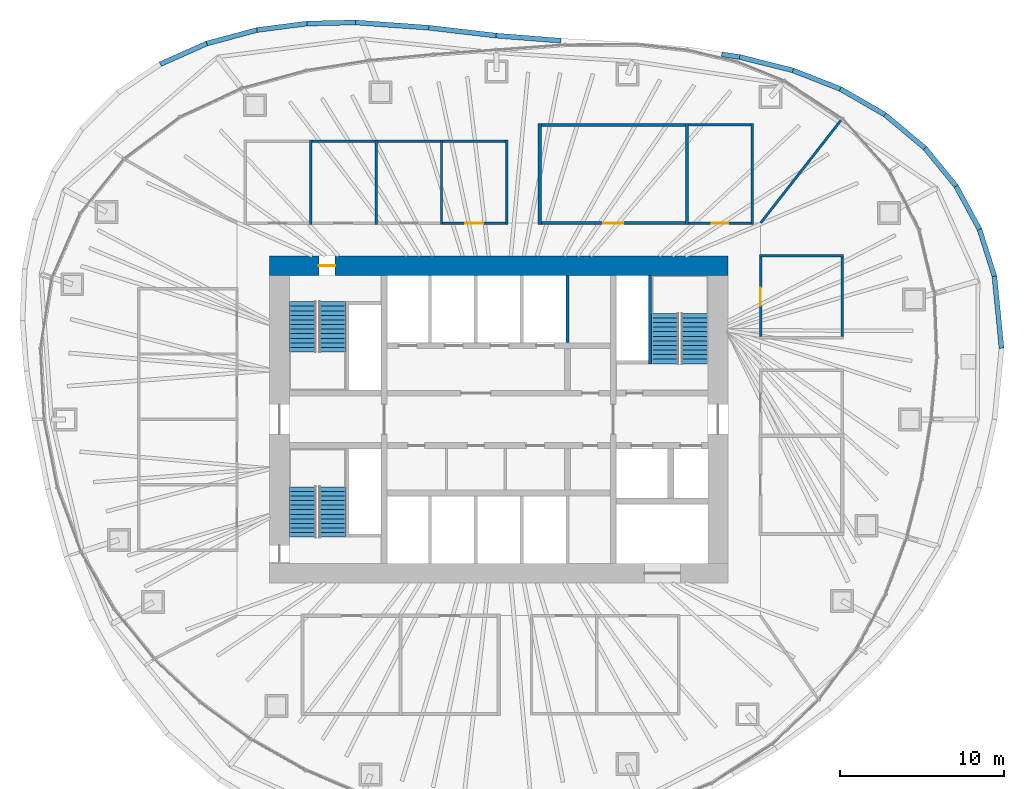
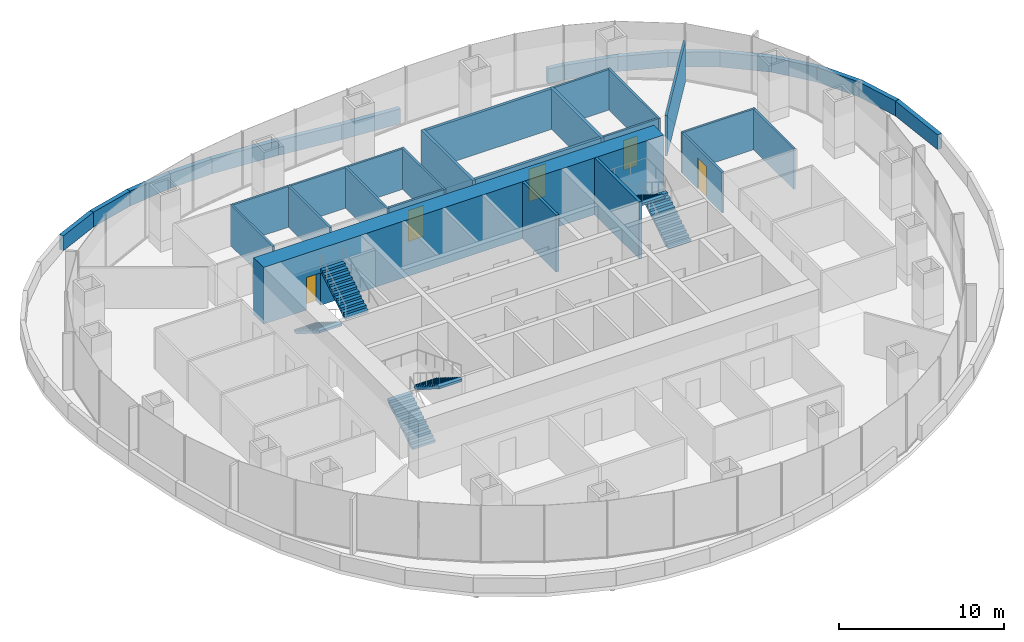
# One storey, part 11 of 12: 38 walls, 6 stair flights, 5 doors, 5 openings, 3 elements without a shape of their own.
"""IFC4 building model written with IfcOpenShell, lengths in metres."""

from ifc_helpers import new_model, si_unit, direction, frame, frame_2d, origin, place, context, subcontext, project, spatial, polyline, rectangle, outline, extrude, material, layer, layer_set, type_object, element, fill, aggregate, save


model = new_model("IFC4")

# Units and contexts
model_context = context("Model", 3, precision=1e-05, world=origin(), true_north=direction((0.0, 1.0)))
body_context = subcontext(model_context, "Body", "Model", "MODEL_VIEW")
ifc_project = project(units=[si_unit("LENGTHUNIT", "METRE"), si_unit("AREAUNIT", "SQUARE_METRE"), si_unit("VOLUMEUNIT", "CUBIC_METRE"), si_unit("PLANEANGLEUNIT", "RADIAN"), si_unit("MASSUNIT", "GRAM", prefix="KILO")], contexts=[model_context])

# Site, building, storey
site_placement = place(None, origin())
site = spatial("IfcSite", under=ifc_project, at=site_placement, CompositionType="ELEMENT")
building_placement = place(site_placement, origin())
building = spatial("IfcBuilding", under=site, at=building_placement, Name="Ghaith Harvest Tower", CompositionType="ELEMENT")
storey_placement = place(building_placement, frame((0.0, 0.0, 194.800048828125)))
storey = spatial("IfcBuildingStorey", under=building, at=storey_placement, Name="L42", CompositionType="ELEMENT", Elevation=194.800048828125)

# Walls
ifc_material_1 = material(Name="Twin-stud gypsum board, acoustic", Category="gypsum")
ifc_layer_1 = layer(ifc_material_1, 0.199951171875)
ifc_layer_set_1 = layer_set([ifc_layer_1], Name="ACOUSTIC PARTITION 200")
wall_type_1 = type_object("IfcWallType", Name="ACOUSTIC PARTITION 200", PredefinedType="PARTITIONING", material=ifc_layer_set_1)
for number, where, z_axis, x_axis, name in (
    (1, (2.5, 11.89990234375, 0.0), (0.0, 0.0, 1.0), (0.0, 1.0, 0.0), "Partition L42 row N2 cross wall 1"),
    (2, (11.5, 11.89990234375, 0.0), (0.0, 0.0, 1.0), (0.0, 1.0, 0.0), "Partition L42 row N2 cross wall 2"),
):
    element("IfcWall", number, at=place(storey_placement, frame(where, z_axis=z_axis, x_axis=x_axis)), inside=storey, type_object=wall_type_1, Name=name, PredefinedType="PARTITIONING", context=body_context, shape_type="SweptSolid", body=[
        extrude(rectangle(XDim=6.2001953125, YDim=0.199951171875, at=frame_2d((3.10009765625, 0.0))), origin(), (0.0, 0.0, 1.0), 3.0),
    ])

# Wall, opening, door
wall_1_placement = place(storey_placement, frame((2.60009765625, 12.0, 0.0), z_axis=(0.0, 0.0, 1.0), x_axis=(1.0, 0.0, 0.0)))
wall_1 = element("IfcWall", 3, at=wall_1_placement, inside=storey, type_object=wall_type_1, Name="Partition L42-05", PredefinedType="PARTITIONING", context=body_context, shape_type="SweptSolid", body=[
    extrude(rectangle(XDim=8.7998046875, YDim=0.199951171875, at=frame_2d((4.39990234375, 0.0))), origin(), (0.0, 0.0, 1.0), 3.0),
])
opening_1_placement = place(wall_1_placement, frame((3.800048828125, 0.0, 0.0)))
opening_1 = element("IfcOpeningElement", 4, at=opening_1_placement, cuts=wall_1, Name="Opening 42-025", PredefinedType="OPENING", context=body_context, shape_type="SweptSolid", body=[
    extrude(rectangle(XDim=1.199951171875, YDim=2.39990234375, at=frame_2d((0.60009765625, 1.199951171875))), frame((0.0, 0.10986328125, 0.0), z_axis=(0.0, -1.0, 0.0), x_axis=(1.0, 0.0, 0.0)), (0.0, 0.0, 1.0), 0.219970703125),
])
ifc_material_2 = material(Name="Timber door", Category="wood")
door_type_1 = type_object("IfcDoorType", Name="D11 GLAZED 1200x2400", OperationType="SINGLE_SWING_LEFT", PredefinedType="DOOR", material=ifc_material_2)
door_1_placement = place(opening_1_placement, origin())
door_1 = element("IfcDoor", 5, at=door_1_placement, inside=storey, type_object=door_type_1, Name="Boardroom door", OperationType="SINGLE_SWING_LEFT", OverallHeight=2.39990234375, OverallWidth=1.199951171875, PredefinedType="DOOR", context=body_context, shape_type="SweptSolid", body=[
    extrude(rectangle(XDim=1.199951171875, YDim=2.39990234375, at=frame_2d((0.60009765625, 1.199951171875))), frame((0.0, 0.02490234375, 0.0), z_axis=(0.0, -1.0, 0.0), x_axis=(1.0, 0.0, 0.0)), (0.0, 0.0, 1.0), 0.050048828125),
])
fill(opening_1, door_1)

# Wall
wall_2_placement = place(storey_placement, frame((2.60009765625, 18.0, 0.0), z_axis=(0.0, 0.0, 1.0), x_axis=(1.0, 0.0, 0.0)))
element("IfcWall", 6, at=wall_2_placement, inside=storey, type_object=wall_type_1, Name="Partition L42-05", PredefinedType="PARTITIONING", context=body_context, shape_type="SweptSolid", body=[
    extrude(rectangle(XDim=8.7998046875, YDim=0.199951171875, at=frame_2d((4.39990234375, 0.0))), origin(), (0.0, 0.0, 1.0), 3.0),
])

# Wall, opening, door
ifc_material_3 = material(Name="Concrete C60/75", Category="concrete")
ifc_layer_2 = layer(ifc_material_3, 1.199951171875)
ifc_layer_set_2 = layer_set([ifc_layer_2], Name="CORE WALL CW1200 C60")
wall_type_2 = type_object("IfcWallType", Name="CORE WALL CW1200 C60", PredefinedType="SHEAR", material=ifc_layer_set_2)
wall_3_placement = place(storey_placement, frame((14.0, 9.39990234375, 0.0), z_axis=(0.0, 0.0, 1.0), x_axis=(-1.0, 0.0, 0.0)))
wall_3 = element("IfcWall", 7, at=wall_3_placement, inside=storey, type_object=wall_type_2, Name="Core wall N L42", PredefinedType="SHEAR", context=body_context, shape_type="SweptSolid", body=[
    extrude(rectangle(XDim=28.0, YDim=1.199951171875, at=frame_2d((14.0, 0.0))), origin(), (0.0, 0.0, 1.0), 4.199951171875),
])
opening_2_placement = place(wall_3_placement, frame((24.0, 0.0, 0.0)))
opening_2 = element("IfcOpeningElement", 8, at=opening_2_placement, cuts=wall_3, Name="Opening 42-005", PredefinedType="OPENING", context=body_context, shape_type="SweptSolid", body=[
    extrude(rectangle(XDim=1.0, YDim=2.39990234375, at=frame_2d((0.5, 1.199951171875))), frame((0.0, 0.60986328125, 0.0), z_axis=(0.0, -1.0, 0.0), x_axis=(1.0, 0.0, 0.0)), (0.0, 0.0, 1.0), 1.219970703125),
])
ifc_material_4 = material(Name="Steel fire door", Category="steel")
door_type_2 = type_object("IfcDoorType", Name="D3 FD90 1000x2400", OperationType="SINGLE_SWING_LEFT", PredefinedType="DOOR", material=ifc_material_4)
door_2_placement = place(opening_2_placement, origin())
door_2 = element("IfcDoor", 9, at=door_2_placement, inside=storey, type_object=door_type_2, Name="Stair ST1 door", OperationType="SINGLE_SWING_RIGHT", OverallHeight=2.39990234375, OverallWidth=1.0, PredefinedType="DOOR", context=body_context, shape_type="SweptSolid", body=[
    extrude(rectangle(XDim=1.0, YDim=2.39990234375, at=frame_2d((0.5, 1.199951171875))), frame((0.0, 0.02490234375, 0.0), z_axis=(0.0, -1.0, 0.0), x_axis=(1.0, 0.0, 0.0)), (0.0, 0.0, 1.0), 0.050048828125),
])
fill(opening_2, door_2)

# Walls
ifc_material_5 = material(Name="Concrete blockwork, 2-hour", Category="masonry")
ifc_layer_3 = layer(ifc_material_5, 0.199951171875)
ifc_layer_set_3 = layer_set([ifc_layer_3], Name="LIFT SHAFT WALL 200")
wall_type_3 = type_object("IfcWallType", Name="LIFT SHAFT WALL 200", PredefinedType="PARTITIONING", material=ifc_layer_set_3)
wall_4_placement = place(storey_placement, frame((4.199951171875, 4.699951171875, 0.0), z_axis=(0.0, 0.0, 1.0), x_axis=(0.0, 1.0, 0.0)))
element("IfcWall", 10, at=wall_4_placement, inside=storey, type_object=wall_type_3, Name="Lift shaft wall L42", PredefinedType="PARTITIONING", context=body_context, shape_type="SweptSolid", body=[
    extrude(rectangle(XDim=4.10009765625, YDim=0.199951171875, at=frame_2d((2.050048828125, 0.0))), origin(), (0.0, 0.0, 1.0), 4.199951171875),
])
ifc_material_6 = material(Name="Concrete C40/50", Category="concrete")
ifc_layer_4 = layer(ifc_material_6, 0.300048828125)
ifc_layer_set_4 = layer_set([ifc_layer_4], Name="PARAPET 300")
wall_type_4 = type_object("IfcWallType", Name="PARAPET 300", PredefinedType="PARAPET", material=ifc_layer_set_4)
wall_5_placement = place(storey_placement, frame((30.7314453125, 4.35205078125, 0.0), z_axis=(0.0, 0.0, 1.0), x_axis=(-0.098640655064, 0.995123118598, 0.0)))
element("IfcWall", 11, at=wall_5_placement, inside=storey, type_object=wall_type_4, Name="Parapet 01.2 L42", PredefinedType="PARAPET", context=body_context, shape_type="SweptSolid", body=[
    extrude(rectangle(XDim=4.42529296875, YDim=0.300048828125, at=frame_2d((2.212646484375, 0.0))), origin(), (0.0, 0.0, 1.0), 1.099853515625),
])
wall_6_placement = place(storey_placement, frame((30.294921875, 8.755859375, 0.0), z_axis=(0.0, 0.0, 1.0), x_axis=(-0.303613079845, 0.952795412325, 0.0)))
element("IfcWall", 12, at=wall_6_placement, inside=storey, type_object=wall_type_4, Name="Parapet 02.1 L42", PredefinedType="PARAPET", context=body_context, shape_type="SweptSolid", body=[
    extrude(rectangle(XDim=3.002685546875, YDim=0.300048828125, at=frame_2d((1.50146484375, 0.0))), origin(), (0.0, 0.0, 1.0), 1.099853515625),
])
wall_7_placement = place(storey_placement, frame((29.38330078125, 11.61669921875, 0.0), z_axis=(0.0, 0.0, 1.0), x_axis=(-0.475704112337, 0.879605364641, 0.0)))
element("IfcWall", 13, at=wall_7_placement, inside=storey, type_object=wall_type_4, Name="Parapet 02.2 L42", PredefinedType="PARAPET", context=body_context, shape_type="SweptSolid", body=[
    extrude(rectangle(XDim=3.00244140625, YDim=0.300048828125, at=frame_2d((1.501220703125, 0.0))), origin(), (0.0, 0.0, 1.0), 1.099853515625),
])
wall_8_placement = place(storey_placement, frame((27.955078125, 14.257568359375, 0.0), z_axis=(0.0, 0.0, 1.0), x_axis=(-0.633569858722, 0.773685487856, 0.0)))
element("IfcWall", 14, at=wall_8_placement, inside=storey, type_object=wall_type_4, Name="Parapet 02.3 L42", PredefinedType="PARAPET", context=body_context, shape_type="SweptSolid", body=[
    extrude(rectangle(XDim=3.002197265625, YDim=0.300048828125, at=frame_2d((1.5009765625, 0.0))), origin(), (0.0, 0.0, 1.0), 1.099853515625),
])
wall_9_placement = place(storey_placement, frame((26.052978515625, 16.580322265625, 0.0), z_axis=(0.0, 0.0, 1.0), x_axis=(-0.766869065987, 0.641803580258, 0.0)))
element("IfcWall", 15, at=wall_9_placement, inside=storey, type_object=wall_type_4, Name="Parapet 03.1 L42", PredefinedType="PARAPET", context=body_context, shape_type="SweptSolid", body=[
    extrude(rectangle(XDim=3.185791015625, YDim=0.300048828125, at=frame_2d((1.5927734375, 0.0))), origin(), (0.0, 0.0, 1.0), 1.099853515625),
])
wall_10_placement = place(storey_placement, frame((23.60986328125, 18.625, 0.0), z_axis=(0.0, 0.0, 1.0), x_axis=(-0.866607267142, 0.498990826105, 0.0)))
element("IfcWall", 16, at=wall_10_placement, inside=storey, type_object=wall_type_4, Name="Parapet 03.2 L42", PredefinedType="PARAPET", context=body_context, shape_type="SweptSolid", body=[
    extrude(rectangle(XDim=3.1591796875, YDim=0.300048828125, at=frame_2d((1.57958984375, 0.0))), origin(), (0.0, 0.0, 1.0), 1.099853515625),
])
wall_11_placement = place(storey_placement, frame((20.8720703125, 20.201416015625, 0.0), z_axis=(0.0, 0.0, 1.0), x_axis=(-0.931057748711, 0.364871852251, 0.0)))
element("IfcWall", 17, at=wall_11_placement, inside=storey, type_object=wall_type_4, Name="Parapet 03.3 L42", PredefinedType="PARAPET", context=body_context, shape_type="SweptSolid", body=[
    extrude(rectangle(XDim=3.097412109375, YDim=0.300048828125, at=frame_2d((1.548828125, 0.0))), origin(), (0.0, 0.0, 1.0), 1.099853515625),
])
wall_12_placement = place(storey_placement, frame((17.98828125, 21.33154296875, 0.0), z_axis=(0.0, 0.0, 1.0), x_axis=(-0.969792561097, 0.243931114129, 0.0)))
element("IfcWall", 18, at=wall_12_placement, inside=storey, type_object=wall_type_4, Name="Parapet 04.1 L42", PredefinedType="PARAPET", context=body_context, shape_type="SweptSolid", body=[
    extrude(rectangle(XDim=3.375, YDim=0.300048828125, at=frame_2d((1.6875, 0.0))), origin(), (0.0, 0.0, 1.0), 1.099853515625),
])
wall_13_placement = place(storey_placement, frame((14.71533203125, 22.15478515625, 0.0), z_axis=(0.0, 0.0, 1.0), x_axis=(-0.98921181545, 0.146492266603, 0.0)))
element("IfcWall", 19, at=wall_13_placement, inside=storey, type_object=wall_type_4, Name="Parapet 04.2 L42", PredefinedType="PARAPET", context=body_context, shape_type="SweptSolid", body=[
    extrude(rectangle(XDim=1.098388671875, YDim=0.300048828125, at=frame_2d((0.54931640625, 0.0))), origin(), (0.0, 0.0, 1.0), 1.099853515625),
])
wall_14_placement = place(storey_placement, frame((3.79541015625, 23.14892578125, 0.0), z_axis=(0.0, 0.0, 1.0), x_axis=(-0.996928307618, 0.078319534411, 0.0)))
element("IfcWall", 20, at=wall_14_placement, inside=storey, type_object=wall_type_4, Name="Parapet 05.2 L42", PredefinedType="PARAPET", context=body_context, shape_type="SweptSolid", body=[
    extrude(rectangle(XDim=3.96826171875, YDim=0.300048828125, at=frame_2d((1.984130859375, 0.0))), origin(), (0.0, 0.0, 1.0), 1.099853515625),
])
wall_15_placement = place(storey_placement, frame((-0.16064453125, 23.459716796875, 0.0), z_axis=(0.0, 0.0, 1.0), x_axis=(-0.993218413724, 0.11626341918, 0.0)))
element("IfcWall", 21, at=wall_15_placement, inside=storey, type_object=wall_type_4, Name="Parapet 06.1 L42", PredefinedType="PARAPET", context=body_context, shape_type="SweptSolid", body=[
    extrude(rectangle(XDim=4.14306640625, YDim=0.300048828125, at=frame_2d((2.071533203125, 0.0))), origin(), (0.0, 0.0, 1.0), 1.099853515625),
])
wall_16_placement = place(storey_placement, frame((-4.275634765625, 23.94140625, 0.0), z_axis=(0.0, 0.0, 1.0), x_axis=(-0.997435510339, 0.071570962797, 0.0)))
element("IfcWall", 22, at=wall_16_placement, inside=storey, type_object=wall_type_4, Name="Parapet 06.2 L42", PredefinedType="PARAPET", context=body_context, shape_type="SweptSolid", body=[
    extrude(rectangle(XDim=4.499267578125, YDim=0.300048828125, at=frame_2d((2.24951171875, 0.0))), origin(), (0.0, 0.0, 1.0), 1.099853515625),
])
wall_17_placement = place(storey_placement, frame((-8.763427734375, 24.263427734375, 0.0), z_axis=(0.0, 0.0, 1.0), x_axis=(-0.999746581491, -0.02251161471, 0.0)))
element("IfcWall", 23, at=wall_17_placement, inside=storey, type_object=wall_type_4, Name="Parapet 07.1 L42", PredefinedType="PARAPET", context=body_context, shape_type="SweptSolid", body=[
    extrude(rectangle(XDim=2.960693359375, YDim=0.300048828125, at=frame_2d((1.48046875, 0.0))), origin(), (0.0, 0.0, 1.0), 1.099853515625),
])
wall_18_placement = place(storey_placement, frame((-11.723388671875, 24.19677734375, 0.0), z_axis=(0.0, 0.0, 1.0), x_axis=(-0.991718761829, -0.128428569396, 0.0)))
element("IfcWall", 24, at=wall_18_placement, inside=storey, type_object=wall_type_4, Name="Parapet 07.2 L42", PredefinedType="PARAPET", context=body_context, shape_type="SweptSolid", body=[
    extrude(rectangle(XDim=3.08349609375, YDim=0.300048828125, at=frame_2d((1.541748046875, 0.0))), origin(), (0.0, 0.0, 1.0), 1.099853515625),
])
wall_19_placement = place(storey_placement, frame((-14.78125, 23.80078125, 0.0), z_axis=(0.0, 0.0, 1.0), x_axis=(-0.965884154767, -0.25897451529, 0.0)))
element("IfcWall", 25, at=wall_19_placement, inside=storey, type_object=wall_type_4, Name="Parapet 07.3 L42", PredefinedType="PARAPET", context=body_context, shape_type="SweptSolid", body=[
    extrude(rectangle(XDim=3.173095703125, YDim=0.300048828125, at=frame_2d((1.58642578125, 0.0))), origin(), (0.0, 0.0, 1.0), 1.099853515625),
])
wall_20_placement = place(storey_placement, frame((-17.84619140625, 22.97900390625, 0.0), z_axis=(0.0, 0.0, 1.0), x_axis=(-0.913915081903, -0.405905436119, 0.0)))
element("IfcWall", 26, at=wall_20_placement, inside=storey, type_object=wall_type_4, Name="Parapet 08.1 L42", PredefinedType="PARAPET", context=body_context, shape_type="SweptSolid", body=[
    extrude(rectangle(XDim=3.11083984375, YDim=0.300048828125, at=frame_2d((1.555419921875, 0.0))), origin(), (0.0, 0.0, 1.0), 1.099853515625),
])
ifc_material_7 = material(Name="Gypsum board on steel studs", Category="steel")
ifc_layer_5 = layer(ifc_material_7, 0.14990234375)
ifc_layer_set_5 = layer_set([ifc_layer_5], Name="PARTITION 150")
wall_type_5 = type_object("IfcWallType", Name="PARTITION 150", PredefinedType="PARTITIONING", material=ifc_layer_set_5)
for number, where, z_axis, x_axis, name in (
    (27, (-11.5, 11.925048828125, 0.0), (0.0, 0.0, 1.0), (0.0, 1.0, 0.0), "Partition L42 row N1 cross wall 2"),
    (28, (-7.5, 11.925048828125, 0.0), (0.0, 0.0, 1.0), (0.0, 1.0, 0.0), "Partition L42 row N1 cross wall 3"),
    (29, (-3.5, 11.925048828125, 0.0), (0.0, 0.0, 1.0), (0.0, 1.0, 0.0), "Partition L42 row N1 cross wall 4"),
    (30, (0.5, 11.925048828125, 0.0), (0.0, 0.0, 1.0), (0.0, 1.0, 0.0), "Partition L42 row N1 cross wall 5"),
):
    element("IfcWall", number, at=place(storey_placement, frame(where, z_axis=z_axis, x_axis=x_axis)), inside=storey, type_object=wall_type_5, Name=name, PredefinedType="PARTITIONING", context=body_context, shape_type="SweptSolid", body=[
        extrude(rectangle(XDim=5.14990234375, YDim=0.14990234375, at=frame_2d((2.574951171875, 0.0))), origin(), (0.0, 0.0, 1.0), 3.0),
    ])
for number, where, z_axis, x_axis, name in (
    (31, (-11.425048828125, 17.0, 0.0), (0.0, 0.0, 1.0), (1.0, 0.0, 0.0), "Partition L42-02"),
    (32, (-7.425048828125, 17.0, 0.0), (0.0, 0.0, 1.0), (1.0, 0.0, 0.0), "Partition L42-03"),
):
    element("IfcWall", number, at=place(storey_placement, frame(where, z_axis=z_axis, x_axis=x_axis)), inside=storey, type_object=wall_type_5, Name=name, PredefinedType="PARTITIONING", context=body_context, shape_type="SweptSolid", body=[
        extrude(rectangle(XDim=3.85009765625, YDim=0.14990234375, at=frame_2d((1.925048828125, 0.0))), origin(), (0.0, 0.0, 1.0), 3.0),
    ])

# Wall, opening, door
wall_21_placement = place(storey_placement, frame((-3.425048828125, 12.0, 0.0), z_axis=(0.0, 0.0, 1.0), x_axis=(1.0, 0.0, 0.0)))
wall_21 = element("IfcWall", 33, at=wall_21_placement, inside=storey, type_object=wall_type_5, Name="Partition L42-04", PredefinedType="PARTITIONING", context=body_context, shape_type="SweptSolid", body=[
    extrude(rectangle(XDim=3.85009765625, YDim=0.14990234375, at=frame_2d((1.925048828125, 0.0))), origin(), (0.0, 0.0, 1.0), 3.0),
])
opening_3_placement = place(wall_21_placement, frame((1.375, 0.0, 0.0)))
opening_3 = element("IfcOpeningElement", 34, at=opening_3_placement, cuts=wall_21, Name="Opening 42-024", PredefinedType="OPENING", context=body_context, shape_type="SweptSolid", body=[
    extrude(rectangle(XDim=1.10009765625, YDim=2.300048828125, at=frame_2d((0.550048828125, 1.14990234375))), frame((0.0, 0.0849609375, 0.0), z_axis=(0.0, -1.0, 0.0), x_axis=(1.0, 0.0, 0.0)), (0.0, 0.0, 1.0), 0.169921875),
])
ifc_material_8 = material(Name="Timber-framed glazed door", Category="wood")
door_type_3 = type_object("IfcDoorType", Name="D12 GLAZED OFFICE 1100x2300", OperationType="SINGLE_SWING_LEFT", PredefinedType="DOOR", material=ifc_material_8)
door_3_placement = place(opening_3_placement, origin())
door_3 = element("IfcDoor", 35, at=door_3_placement, inside=storey, type_object=door_type_3, Name="Office door", OperationType="SINGLE_SWING_LEFT", OverallHeight=2.300048828125, OverallWidth=1.10009765625, PredefinedType="DOOR", context=body_context, shape_type="SweptSolid", body=[
    extrude(rectangle(XDim=1.10009765625, YDim=2.300048828125, at=frame_2d((0.550048828125, 1.14990234375))), frame((0.0, 0.02490234375, 0.0), z_axis=(0.0, -1.0, 0.0), x_axis=(1.0, 0.0, 0.0)), (0.0, 0.0, 1.0), 0.050048828125),
])
fill(opening_3, door_3)

# Walls
wall_22_placement = place(storey_placement, frame((-3.425048828125, 17.0, 0.0), z_axis=(0.0, 0.0, 1.0), x_axis=(1.0, 0.0, 0.0)))
element("IfcWall", 36, at=wall_22_placement, inside=storey, type_object=wall_type_5, Name="Partition L42-04", PredefinedType="PARTITIONING", context=body_context, shape_type="SweptSolid", body=[
    extrude(rectangle(XDim=3.85009765625, YDim=0.14990234375, at=frame_2d((1.925048828125, 0.0))), origin(), (0.0, 0.0, 1.0), 3.0),
])
wall_23_placement = place(storey_placement, frame((15.5, 11.925048828125, 0.0), z_axis=(0.0, 0.0, 1.0), x_axis=(0.0, 1.0, 0.0)))
element("IfcWall", 37, at=wall_23_placement, inside=storey, type_object=wall_type_5, Name="Partition L42 row N2 cross wall 3", PredefinedType="PARTITIONING", context=body_context, shape_type="SweptSolid", body=[
    extrude(rectangle(XDim=6.14990234375, YDim=0.14990234375, at=frame_2d((3.074951171875, 0.0))), origin(), (0.0, 0.0, 1.0), 3.0),
])

# Wall, opening, door
wall_24_placement = place(storey_placement, frame((11.60009765625, 12.0, 0.0), z_axis=(0.0, 0.0, 1.0), x_axis=(1.0, 0.0, 0.0)))
wall_24 = element("IfcWall", 38, at=wall_24_placement, inside=storey, type_object=wall_type_5, Name="Partition L42-06", PredefinedType="PARTITIONING", context=body_context, shape_type="SweptSolid", body=[
    extrude(rectangle(XDim=3.824951171875, YDim=0.14990234375, at=frame_2d((1.91259765625, 0.0))), origin(), (0.0, 0.0, 1.0), 3.0),
])
opening_4_placement = place(wall_24_placement, frame((1.41259765625, 0.0, 0.0)))
opening_4 = element("IfcOpeningElement", 39, at=opening_4_placement, cuts=wall_24, Name="Opening 42-026", PredefinedType="OPENING", context=body_context, shape_type="SweptSolid", body=[
    extrude(rectangle(XDim=1.0, YDim=2.199951171875, at=frame_2d((0.5, 1.10009765625))), frame((0.0, 0.0849609375, 0.0), z_axis=(0.0, -1.0, 0.0), x_axis=(1.0, 0.0, 0.0)), (0.0, 0.0, 1.0), 0.169921875),
])
ifc_material_9 = material(Name="Timber door", Category="wood")
door_type_4 = type_object("IfcDoorType", Name="D1 SINGLE 1000x2200", OperationType="SINGLE_SWING_LEFT", PredefinedType="DOOR", material=ifc_material_9)
door_4_placement = place(opening_4_placement, origin())
door_4 = element("IfcDoor", 40, at=door_4_placement, inside=storey, type_object=door_type_4, Name="Pantry door", OperationType="SINGLE_SWING_LEFT", OverallHeight=2.199951171875, OverallWidth=1.0, PredefinedType="DOOR", context=body_context, shape_type="SweptSolid", body=[
    extrude(rectangle(XDim=1.0, YDim=2.199951171875, at=frame_2d((0.5, 1.10009765625))), frame((0.0, 0.02490234375, 0.0), z_axis=(0.0, -1.0, 0.0), x_axis=(1.0, 0.0, 0.0)), (0.0, 0.0, 1.0), 0.050048828125),
])
fill(opening_4, door_4)

# Walls
wall_25_placement = place(storey_placement, frame((11.60009765625, 18.0, 0.0), z_axis=(0.0, 0.0, 1.0), x_axis=(1.0, 0.0, 0.0)))
element("IfcWall", 41, at=wall_25_placement, inside=storey, type_object=wall_type_5, Name="Partition L42-06", PredefinedType="PARTITIONING", context=body_context, shape_type="SweptSolid", body=[
    extrude(rectangle(XDim=3.824951171875, YDim=0.14990234375, at=frame_2d((1.91259765625, 0.0))), origin(), (0.0, 0.0, 1.0), 3.0),
])
wall_26_placement = place(storey_placement, frame((15.925048828125, 10.0, 0.0), z_axis=(0.0, 0.0, 1.0), x_axis=(1.0, 0.0, 0.0)))
element("IfcWall", 42, at=wall_26_placement, inside=storey, type_object=wall_type_5, Name="Partition L42 row E7 cross wall 2", PredefinedType="PARTITIONING", context=body_context, shape_type="SweptSolid", body=[
    extrude(rectangle(XDim=5.14990234375, YDim=0.14990234375, at=frame_2d((2.574951171875, 0.0))), origin(), (0.0, 0.0, 1.0), 3.0),
])

# Wall, opening, door
wall_27_placement = place(storey_placement, frame((16.0, 5.074951171875, 0.0), z_axis=(0.0, 0.0, 1.0), x_axis=(0.0, 1.0, 0.0)))
wall_27 = element("IfcWall", 43, at=wall_27_placement, inside=storey, type_object=wall_type_5, Name="Partition L42-17", PredefinedType="PARTITIONING", context=body_context, shape_type="SweptSolid", body=[
    extrude(rectangle(XDim=4.85009765625, YDim=0.14990234375, at=frame_2d((2.425048828125, 0.0))), origin(), (0.0, 0.0, 1.0), 3.0),
])
opening_5_placement = place(wall_27_placement, frame((1.875, 0.0, 0.0)))
opening_5 = element("IfcOpeningElement", 44, at=opening_5_placement, cuts=wall_27, Name="Opening 42-037", PredefinedType="OPENING", context=body_context, shape_type="SweptSolid", body=[
    extrude(rectangle(XDim=1.10009765625, YDim=2.300048828125, at=frame_2d((0.550048828125, 1.14990234375))), frame((0.0, 0.0849609375, 0.0), z_axis=(0.0, -1.0, 0.0), x_axis=(1.0, 0.0, 0.0)), (0.0, 0.0, 1.0), 0.169921875),
])
door_5_placement = place(opening_5_placement, origin())
door_5 = element("IfcDoor", 45, at=door_5_placement, inside=storey, type_object=door_type_3, Name="Office door", OperationType="SINGLE_SWING_LEFT", OverallHeight=2.300048828125, OverallWidth=1.10009765625, PredefinedType="DOOR", context=body_context, shape_type="SweptSolid", body=[
    extrude(rectangle(XDim=1.10009765625, YDim=2.300048828125, at=frame_2d((0.550048828125, 1.14990234375))), frame((0.0, 0.02490234375, 0.0), z_axis=(0.0, -1.0, 0.0), x_axis=(1.0, 0.0, 0.0)), (0.0, 0.0, 1.0), 0.050048828125),
])
fill(opening_5, door_5)

# Walls
wall_28_placement = place(storey_placement, frame((21.0, 5.074951171875, 0.0), z_axis=(0.0, 0.0, 1.0), x_axis=(0.0, 1.0, 0.0)))
element("IfcWall", 46, at=wall_28_placement, inside=storey, type_object=wall_type_5, Name="Partition L42-17", PredefinedType="PARTITIONING", context=body_context, shape_type="SweptSolid", body=[
    extrude(rectangle(XDim=4.85009765625, YDim=0.14990234375, at=frame_2d((2.425048828125, 0.0))), origin(), (0.0, 0.0, 1.0), 3.0),
])
wall_29_placement = place(storey_placement, frame((16.01220703125, 12.015625, 0.0), z_axis=(0.0, 0.0, 1.0), x_axis=(0.616030058222, 0.787722646219, 0.0)))
element("IfcWall", 47, at=wall_29_placement, inside=storey, type_object=wall_type_5, Name="Partition L42 zone division", PredefinedType="PARTITIONING", context=body_context, shape_type="SweptSolid", body=[
    extrude(rectangle(XDim=7.95166015625, YDim=0.14990234375, at=frame_2d((3.975830078125, 0.0))), origin(), (0.0, 0.0, 1.0), 3.0),
])
ifc_material_10 = material(Name="Concrete C40/50", Category="concrete")
ifc_layer_6 = layer(ifc_material_10, 0.199951171875)
ifc_layer_set_6 = layer_set([ifc_layer_6], Name="STAIR SPINE WALL RC200")
wall_type_6 = type_object("IfcWallType", Name="STAIR SPINE WALL RC200", PredefinedType="SOLIDWALL", material=ifc_layer_set_6)
wall_30_placement = place(storey_placement, frame((9.25, 3.39990234375, 0.0), z_axis=(0.0, 0.0, 1.0), x_axis=(0.0, 1.0, 0.0)))
element("IfcWall", 48, at=wall_30_placement, inside=storey, type_object=wall_type_6, Name="Stair ST2 spine wall L42", PredefinedType="SOLIDWALL", context=body_context, shape_type="SweptSolid", body=[
    extrude(rectangle(XDim=5.400146484375, YDim=0.199951171875, at=frame_2d((2.7001953125, 0.0))), origin(), (0.0, 0.0, 1.0), 4.199951171875),
])

# Stair, stair flights
ifc_material_11 = material(Name="Concrete C40/50, precast", Category="concrete")
stair_type = type_object("IfcStairType", Name="CORE STAIR 24R", PredefinedType="HALF_TURN_STAIR", material=ifc_material_11)
stair_1_placement = place(storey_placement, origin())
stair_1 = element("IfcStair", 49, at=stair_1_placement, inside=storey, type_object=stair_type, Name="Stair ST1 L42", PredefinedType="HALF_TURN_STAIR")
ifc_material_12 = material(Name="Concrete C40/50, precast", Category="concrete")
stair_flight_type = type_object("IfcStairFlightType", Name="CORE FLIGHT 12R 1600", PredefinedType="STRAIGHT", material=ifc_material_12)
stair_flight_1_placement = place(storey_placement, frame((-12.0, 7.199951171875, 0.0), z_axis=(0.0, 0.0, 1.0), x_axis=(0.0, -1.0, 0.0)))
stair_flight_1 = element("IfcStairFlight", 50, at=stair_flight_1_placement, type_object=stair_flight_type, Name="ST1 flight 1", NumberOfRisers=12, NumberOfTreads=11, PredefinedType="STRAIGHT", RiserHeight=0.175, TreadLength=0.28, context=body_context, shape_type="SweptSolid", body=[
    extrude(outline(polyline([(0.0, 0.0), (0.0, 0.175048828125), (0.280029296875, 0.175048828125), (0.280029296875, 0.35009765625), (0.56005859375, 0.35009765625), (0.56005859375, 0.52490234375), (0.840087890625, 0.52490234375), (0.840087890625, 0.699951171875), (1.1201171875, 0.699951171875), (1.1201171875, 0.875), (1.39990234375, 0.875), (1.39990234375, 1.050048828125), (1.679931640625, 1.050048828125), (1.679931640625, 1.22509765625), (1.9599609375, 1.22509765625), (1.9599609375, 1.39990234375), (2.239990234375, 1.39990234375), (2.239990234375, 1.574951171875), (2.52001953125, 1.574951171875), (2.52001953125, 1.75), (2.800048828125, 1.75), (2.800048828125, 1.925048828125), (3.080078125, 1.925048828125), (3.080078125, 2.10009765625), (3.080078125, 1.748291015625), (0.28271484375, 0.0), (0.0, 0.0)])), frame((0.0, 0.800048828125, 0.0), z_axis=(0.0, -1.0, 0.0), x_axis=(1.0, 0.0, 0.0)), (0.0, 0.0, 1.0), 1.60009765625),
])
stair_flight_2_placement = place(storey_placement, frame((-10.14990234375, 4.1201171875, 2.099853515625), z_axis=(0.0, 0.0, 1.0), x_axis=(0.0, 1.0, 0.0)))
stair_flight_2 = element("IfcStairFlight", 51, at=stair_flight_2_placement, type_object=stair_flight_type, Name="ST1 flight 2", NumberOfRisers=12, NumberOfTreads=11, PredefinedType="STRAIGHT", RiserHeight=0.175, TreadLength=0.28, context=body_context, shape_type="SweptSolid", body=[
    extrude(outline(polyline([(0.0, 0.0), (0.0, 0.175048828125), (0.280029296875, 0.175048828125), (0.280029296875, 0.35009765625), (0.56005859375, 0.35009765625), (0.56005859375, 0.52490234375), (0.840087890625, 0.52490234375), (0.840087890625, 0.699951171875), (1.1201171875, 0.699951171875), (1.1201171875, 0.875), (1.39990234375, 0.875), (1.39990234375, 1.050048828125), (1.679931640625, 1.050048828125), (1.679931640625, 1.22509765625), (1.9599609375, 1.22509765625), (1.9599609375, 1.39990234375), (2.239990234375, 1.39990234375), (2.239990234375, 1.574951171875), (2.52001953125, 1.574951171875), (2.52001953125, 1.75), (2.800048828125, 1.75), (2.800048828125, 1.925048828125), (3.080078125, 1.925048828125), (3.080078125, 2.10009765625), (3.080078125, 1.748291015625), (0.28271484375, 0.0), (0.0, 0.0)])), frame((0.0, 0.800048828125, 0.0), z_axis=(0.0, -1.0, 0.0), x_axis=(1.0, 0.0, 0.0)), (0.0, 0.0, 1.0), 1.60009765625),
])
aggregate(stair_1, [stair_flight_1, stair_flight_2])

stair_2_placement = place(storey_placement, origin())
stair_2 = element("IfcStair", 52, at=stair_2_placement, inside=storey, type_object=stair_type, Name="Stair ST3 L42", PredefinedType="HALF_TURN_STAIR")
stair_flight_3_placement = place(storey_placement, frame((-12.0, -7.199951171875, 0.0), z_axis=(0.0, 0.0, 1.0), x_axis=(0.0, 1.0, 0.0)))
stair_flight_3 = element("IfcStairFlight", 53, at=stair_flight_3_placement, type_object=stair_flight_type, Name="ST3 flight 1", NumberOfRisers=12, NumberOfTreads=11, PredefinedType="STRAIGHT", RiserHeight=0.175, TreadLength=0.28, context=body_context, shape_type="SweptSolid", body=[
    extrude(outline(polyline([(0.0, 0.0), (0.0, 0.175048828125), (0.280029296875, 0.175048828125), (0.280029296875, 0.35009765625), (0.56005859375, 0.35009765625), (0.56005859375, 0.52490234375), (0.840087890625, 0.52490234375), (0.840087890625, 0.699951171875), (1.1201171875, 0.699951171875), (1.1201171875, 0.875), (1.39990234375, 0.875), (1.39990234375, 1.050048828125), (1.679931640625, 1.050048828125), (1.679931640625, 1.22509765625), (1.9599609375, 1.22509765625), (1.9599609375, 1.39990234375), (2.239990234375, 1.39990234375), (2.239990234375, 1.574951171875), (2.52001953125, 1.574951171875), (2.52001953125, 1.75), (2.800048828125, 1.75), (2.800048828125, 1.925048828125), (3.080078125, 1.925048828125), (3.080078125, 2.10009765625), (3.080078125, 1.748291015625), (0.28271484375, 0.0), (0.0, 0.0)])), frame((0.0, 0.800048828125, 0.0), z_axis=(0.0, -1.0, 0.0), x_axis=(1.0, 0.0, 0.0)), (0.0, 0.0, 1.0), 1.60009765625),
])
stair_flight_4_placement = place(storey_placement, frame((-10.14990234375, -4.1201171875, 2.099853515625), z_axis=(0.0, 0.0, 1.0), x_axis=(0.0, -1.0, 0.0)))
stair_flight_4 = element("IfcStairFlight", 54, at=stair_flight_4_placement, type_object=stair_flight_type, Name="ST3 flight 2", NumberOfRisers=12, NumberOfTreads=11, PredefinedType="STRAIGHT", RiserHeight=0.175, TreadLength=0.28, context=body_context, shape_type="SweptSolid", body=[
    extrude(outline(polyline([(0.0, 0.0), (0.0, 0.175048828125), (0.280029296875, 0.175048828125), (0.280029296875, 0.35009765625), (0.56005859375, 0.35009765625), (0.56005859375, 0.52490234375), (0.840087890625, 0.52490234375), (0.840087890625, 0.699951171875), (1.1201171875, 0.699951171875), (1.1201171875, 0.875), (1.39990234375, 0.875), (1.39990234375, 1.050048828125), (1.679931640625, 1.050048828125), (1.679931640625, 1.22509765625), (1.9599609375, 1.22509765625), (1.9599609375, 1.39990234375), (2.239990234375, 1.39990234375), (2.239990234375, 1.574951171875), (2.52001953125, 1.574951171875), (2.52001953125, 1.75), (2.800048828125, 1.75), (2.800048828125, 1.925048828125), (3.080078125, 1.925048828125), (3.080078125, 2.10009765625), (3.080078125, 1.748291015625), (0.28271484375, 0.0), (0.0, 0.0)])), frame((0.0, 0.800048828125, 0.0), z_axis=(0.0, -1.0, 0.0), x_axis=(1.0, 0.0, 0.0)), (0.0, 0.0, 1.0), 1.60009765625),
])
aggregate(stair_2, [stair_flight_3, stair_flight_4])

stair_3_placement = place(storey_placement, origin())
stair_3 = element("IfcStair", 55, at=stair_3_placement, inside=storey, type_object=stair_type, Name="Stair ST2 L42", PredefinedType="HALF_TURN_STAIR")
stair_flight_5_placement = place(storey_placement, frame((12.0, 3.39990234375, 0.0), z_axis=(0.0, 0.0, 1.0), x_axis=(0.0, 1.0, 0.0)))
stair_flight_5 = element("IfcStairFlight", 56, at=stair_flight_5_placement, type_object=stair_flight_type, Name="ST2 flight 1", NumberOfRisers=12, NumberOfTreads=11, PredefinedType="STRAIGHT", RiserHeight=0.175, TreadLength=0.28, context=body_context, shape_type="SweptSolid", body=[
    extrude(outline(polyline([(0.0, 0.0), (0.0, 0.175048828125), (0.280029296875, 0.175048828125), (0.280029296875, 0.35009765625), (0.56005859375, 0.35009765625), (0.56005859375, 0.52490234375), (0.840087890625, 0.52490234375), (0.840087890625, 0.699951171875), (1.1201171875, 0.699951171875), (1.1201171875, 0.875), (1.39990234375, 0.875), (1.39990234375, 1.050048828125), (1.679931640625, 1.050048828125), (1.679931640625, 1.22509765625), (1.9599609375, 1.22509765625), (1.9599609375, 1.39990234375), (2.239990234375, 1.39990234375), (2.239990234375, 1.574951171875), (2.52001953125, 1.574951171875), (2.52001953125, 1.75), (2.800048828125, 1.75), (2.800048828125, 1.925048828125), (3.080078125, 1.925048828125), (3.080078125, 2.10009765625), (3.080078125, 1.748291015625), (0.28271484375, 0.0), (0.0, 0.0)])), frame((0.0, 0.800048828125, 0.0), z_axis=(0.0, -1.0, 0.0), x_axis=(1.0, 0.0, 0.0)), (0.0, 0.0, 1.0), 1.60009765625),
])
stair_flight_6_placement = place(storey_placement, frame((10.14990234375, 6.47998046875, 2.099853515625), z_axis=(0.0, 0.0, 1.0), x_axis=(0.0, -1.0, 0.0)))
stair_flight_6 = element("IfcStairFlight", 57, at=stair_flight_6_placement, type_object=stair_flight_type, Name="ST2 flight 2", NumberOfRisers=12, NumberOfTreads=11, PredefinedType="STRAIGHT", RiserHeight=0.175, TreadLength=0.28, context=body_context, shape_type="SweptSolid", body=[
    extrude(outline(polyline([(0.0, 0.0), (0.0, 0.175048828125), (0.280029296875, 0.175048828125), (0.280029296875, 0.35009765625), (0.56005859375, 0.35009765625), (0.56005859375, 0.52490234375), (0.840087890625, 0.52490234375), (0.840087890625, 0.699951171875), (1.1201171875, 0.699951171875), (1.1201171875, 0.875), (1.39990234375, 0.875), (1.39990234375, 1.050048828125), (1.679931640625, 1.050048828125), (1.679931640625, 1.22509765625), (1.9599609375, 1.22509765625), (1.9599609375, 1.39990234375), (2.239990234375, 1.39990234375), (2.239990234375, 1.574951171875), (2.52001953125, 1.574951171875), (2.52001953125, 1.75), (2.800048828125, 1.75), (2.800048828125, 1.925048828125), (3.080078125, 1.925048828125), (3.080078125, 2.10009765625), (3.080078125, 1.748291015625), (0.28271484375, 0.0), (0.0, 0.0)])), frame((0.0, 0.800048828125, 0.0), z_axis=(0.0, -1.0, 0.0), x_axis=(1.0, 0.0, 0.0)), (0.0, 0.0, 1.0), 1.60009765625),
])
aggregate(stair_3, [stair_flight_5, stair_flight_6])

save(model, "model.ifc")
